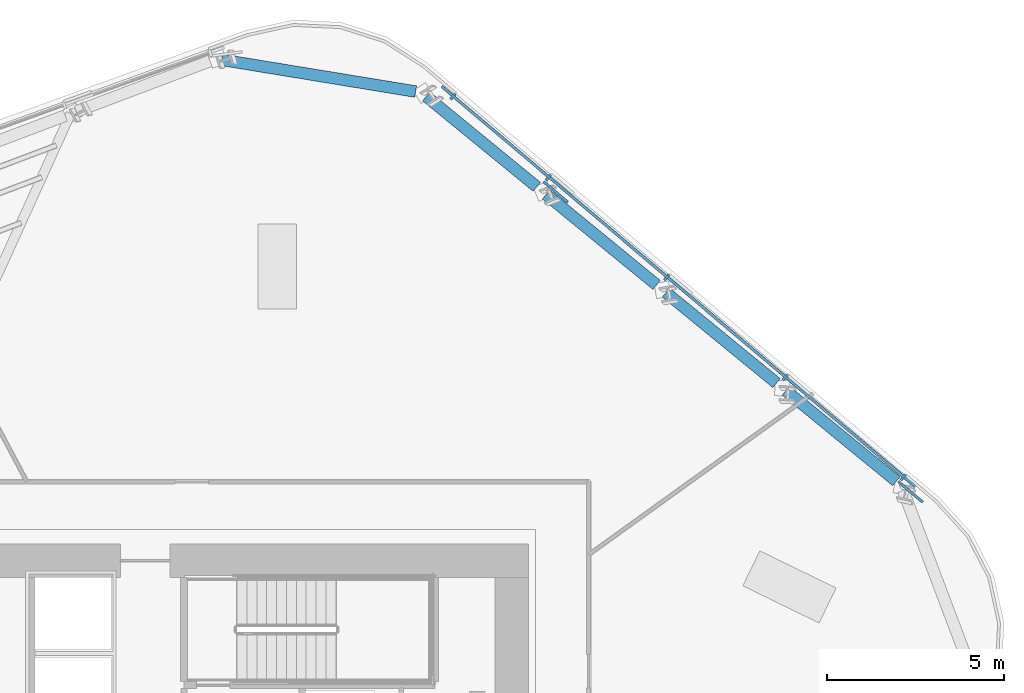
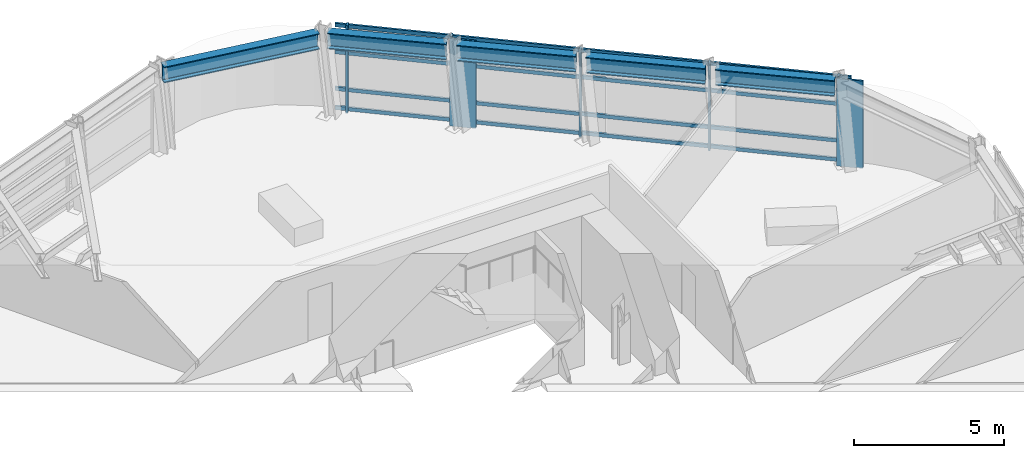
# One storey, part 7 of 18: 11 members, 5 beams, 1 element without a shape of its own.
"""IFC4 building model written with IfcOpenShell, lengths in metres."""

import ifcopenshell
import ifcopenshell.guid

model = None  # the IFC model being written
_history = None  # IfcOwnerHistory: only IFC2X3 demands one
_inside = {}  # id of a spatial element -> (the spatial element, [elements in it])
_under = {}  # id of a project, library or spatial element -> (it, [spatial elements below it])
_declared = {}  # id of a project -> (the project, [libraries it declares])
_typed = {}  # id of a type object -> (the type object, [elements of that type])
_made_of = {}  # id of a material, layer set ... -> (it, [elements and type objects made of it])


def new_model(schema):
    """Start an empty IFC model of exactly this schema.

    Asked for "IFC4X3", IfcOpenShell would pick the latest addendum, in which some entities
    have other attributes; the version numbers below select the first issue.
    IFC2X3 requires an IfcOwnerHistory on every rooted entity: one is made here for all.
    """
    global model, _history
    if schema == "IFC4X3":
        model = ifcopenshell.file(schema_version=(4, 3, 0, 0))
    else:
        model = ifcopenshell.file(schema=schema)
    _inside.clear()
    _under.clear()
    _declared.clear()
    _typed.clear()
    _made_of.clear()
    _history = None
    if model.schema == "IFC2X3":
        org = make("IfcOrganization", Name="unknown")
        user = make(
            "IfcPersonAndOrganization",
            ThePerson=make("IfcPerson", FamilyName="unknown"),
            TheOrganization=org,
        )
        app = make(
            "IfcApplication",
            ApplicationDeveloper=org,
            Version="unknown",
            ApplicationFullName="unknown",
            ApplicationIdentifier="unknown",
        )
        _history = make(
            "IfcOwnerHistory",
            OwningUser=user,
            OwningApplication=app,
            ChangeAction="ADDED",
            CreationDate=0,
        )
    return model


def make(cls, **values):
    """One entity of the class cls with the attributes given. An attribute that is None is left unset."""
    return model.create_entity(
        cls, **{name: value for name, value in values.items() if value is not None}
    )


def rooted(cls, **values):
    """An entity with a GlobalId (a new one), such as an element, a storey or a relation."""
    return make(cls, GlobalId=ifcopenshell.guid.new(), OwnerHistory=_history, **values)


def si_unit(unit_type, name, prefix=None):
    """IfcSIUnit, for example si_unit("LENGTHUNIT", "METRE", prefix="MILLI")."""
    return make("IfcSIUnit", UnitType=unit_type, Prefix=prefix, Name=name)


def assignment(units):
    """IfcUnitAssignment: the units of a project."""
    return None if units is None else make("IfcUnitAssignment", Units=units)


def point(xyz):
    """IfcCartesianPoint."""
    return None if xyz is None else make("IfcCartesianPoint", Coordinates=xyz)


def direction(xyz):
    """IfcDirection."""
    return None if xyz is None else make("IfcDirection", DirectionRatios=xyz)


def frame(location, z_axis=None, x_axis=None):
    """IfcAxis2Placement3D, a coordinate frame: its origin and axes. An axis left out is left unset."""
    return make(
        "IfcAxis2Placement3D",
        Location=point(location),
        Axis=direction(z_axis),
        RefDirection=direction(x_axis),
    )


def frame_2d(location, x_axis=None):
    """IfcAxis2Placement2D, a coordinate frame in the plane: its origin and x axis."""
    return make(
        "IfcAxis2Placement2D", Location=point(location), RefDirection=direction(x_axis)
    )


def origin():
    """The frame at (0, 0, 0) with its axes left unset."""
    return frame((0.0, 0.0, 0.0))


def origin_2d():
    """The frame at (0, 0) in the plane with its x axis left unset."""
    return frame_2d((0.0, 0.0))


def place(relative_to, where):
    """IfcLocalPlacement: puts the frame where relative to a parent placement (None: the world)."""
    return make(
        "IfcLocalPlacement", PlacementRelTo=relative_to, RelativePlacement=where
    )


def context(
    kind, dimensions, precision=None, world=None, true_north=None, identifier=None
):
    """IfcGeometricRepresentationContext, for example the 3D "Model" context."""
    return make(
        "IfcGeometricRepresentationContext",
        ContextIdentifier=identifier,
        ContextType=kind,
        CoordinateSpaceDimension=dimensions,
        Precision=precision,
        WorldCoordinateSystem=world,
        TrueNorth=true_north,
    )


def subcontext(parent, identifier, kind, view, scale=None):
    """IfcGeometricRepresentationSubContext, for example "Body" below "Model"."""
    return make(
        "IfcGeometricRepresentationSubContext",
        ContextIdentifier=identifier,
        ContextType=kind,
        ParentContext=parent,
        TargetScale=scale,
        TargetView=view,
    )


def project(units=None, contexts=None):
    """IfcProject with its units and contexts."""
    return rooted(
        "IfcProject",
        Name="project",
        RepresentationContexts=contexts,
        UnitsInContext=assignment(units),
    )


def spatial(cls, under=None, at=None, **own):
    """A site, building, storey or space (cls), placed at a placement, below another one or the project."""
    s = rooted(cls, ObjectPlacement=at, **own)
    if under is not None:
        _under.setdefault(under.id(), (under, []))[1].append(s)
    return s


def profile(cls, at=None, kind="AREA", **sizes):
    """A parametric profile (cls). Its sizes go by their IFC names, for example OverallWidth=200.0."""
    return make(cls, ProfileType=kind, Position=at, **sizes)


def rectangle(**sizes):
    """IfcRectangleProfileDef."""
    return profile("IfcRectangleProfileDef", **sizes)


def i_section(**sizes):
    """IfcIShapeProfileDef."""
    return profile("IfcIShapeProfileDef", **sizes)


def extrude(swept, where, along, depth):
    """IfcExtrudedAreaSolid: the profile swept, set in the frame where, extruded along a direction by depth."""
    return make(
        "IfcExtrudedAreaSolid",
        SweptArea=swept,
        Position=where,
        ExtrudedDirection=direction(along),
        Depth=depth,
    )


def shape(context_of_items, identifier, shape_type, items):
    """IfcShapeRepresentation: the items that make up one representation, for example the "Body"."""
    return make(
        "IfcShapeRepresentation",
        ContextOfItems=context_of_items,
        RepresentationIdentifier=identifier,
        RepresentationType=shape_type,
        Items=items,
    )


def material(Name=None, Category=None):
    """IfcMaterial."""
    return make("IfcMaterial", Name=Name, Category=Category)


def layer(
    of_material, thickness, ventilated=None, Name=None, Category=None, Priority=None
):
    """IfcMaterialLayer: one layer of a wall or slab, of a material (None: an air gap)."""
    return make(
        "IfcMaterialLayer",
        Material=of_material,
        LayerThickness=thickness,
        IsVentilated=ventilated,
        Name=Name,
        Category=Category,
        Priority=Priority,
    )


def layer_set(layers, Name=None):
    """IfcMaterialLayerSet."""
    return make("IfcMaterialLayerSet", MaterialLayers=layers, LayerSetName=Name)


def material_profile(
    of_material, cross_section, Name=None, Category=None, Priority=None
):
    """IfcMaterialProfile: a cross section and its material."""
    return make(
        "IfcMaterialProfile",
        Name=Name,
        Material=of_material,
        Profile=cross_section,
        Priority=Priority,
        Category=Category,
    )


def profile_set(profiles, Name=None, composite=None):
    """IfcMaterialProfileSet."""
    return make(
        "IfcMaterialProfileSet",
        Name=Name,
        MaterialProfiles=profiles,
        CompositeProfile=composite,
    )


def made_of(thing, what):
    """Note that an element or type object is made of a material, layer set ...; save() writes the relation."""
    if what is not None:
        _made_of.setdefault(what.id(), (what, []))[1].append(thing)
    return thing


def type_object(cls, material=None, **own):
    """A type object (cls), such as IfcWallType, which elements share."""
    return made_of(rooted(cls, **own), material)


def element(
    cls,
    number,
    at=None,
    inside=None,
    cuts=None,
    type_object=None,
    material=None,
    context=None,
    identifier="Body",
    shape_type=None,
    held_by="IfcProductDefinitionShape",
    body=None,
    shapes=None,
    **own,
):
    """One element of the class cls, such as IfcWall. Its Tag is "e" and its number.

    at: its placement. inside: the storey or other place that contains it. cuts: it is an
    opening in that element (IfcRelVoidsElement). A single representation is given by context,
    identifier, shape_type and body (its items); several are given by shapes. held_by: the class
    of the entity that holds the representations. save() writes the other relations.
    """
    e = rooted(cls, Tag="e%d" % number, ObjectPlacement=at, **own)
    if body is not None:
        shapes = [shape(context, identifier, shape_type, body)]
    if shapes is not None:
        e.Representation = make(held_by, Representations=shapes)
    if inside is not None:
        _inside.setdefault(inside.id(), (inside, []))[1].append(e)
    if cuts is not None:
        rooted(
            "IfcRelVoidsElement", RelatingBuildingElement=cuts, RelatedOpeningElement=e
        )
    if type_object is not None:
        _typed.setdefault(type_object.id(), (type_object, []))[1].append(e)
    return made_of(e, material)


def aggregate(whole, parts):
    """IfcRelAggregates: a whole, such as a stair, and the parts it consists of."""
    return rooted("IfcRelAggregates", RelatingObject=whole, RelatedObjects=parts)


def save(model, path):
    """Write the relations noted so far, then the file.

    IfcRelAggregates (storeys below a building ...), IfcRelContainedInSpatialStructure (elements
    in a storey), IfcRelDefinesByType, IfcRelAssociatesMaterial and IfcRelDeclares: one each for
    every whole, place, type object, material and project.
    """
    for whole, parts in _under.values():
        aggregate(whole, parts)
    for where, things in _inside.values():
        rooted(
            "IfcRelContainedInSpatialStructure",
            RelatedElements=things,
            RelatingStructure=where,
        )
    for kind, things in _typed.values():
        rooted("IfcRelDefinesByType", RelatedObjects=things, RelatingType=kind)
    for what, things in _made_of.values():
        rooted("IfcRelAssociatesMaterial", RelatedObjects=things, RelatingMaterial=what)
    for by, libraries in _declared.values():
        rooted("IfcRelDeclares", RelatingContext=by, RelatedDefinitions=libraries)
    model.write(path)


model = new_model("IFC4")

# Units and contexts
model_context = context("Model", 3, precision=1e-05, world=origin(), true_north=direction((0.0, 1.0)))
body_context = subcontext(model_context, "Body", "Model", "MODEL_VIEW")
ifc_project = project(units=[si_unit("LENGTHUNIT", "METRE"), si_unit("AREAUNIT", "SQUARE_METRE"), si_unit("VOLUMEUNIT", "CUBIC_METRE"), si_unit("PLANEANGLEUNIT", "RADIAN"), si_unit("MASSUNIT", "GRAM", prefix="KILO")], contexts=[model_context])

# Site, building, storey
site_placement = place(None, origin())
site = spatial("IfcSite", under=ifc_project, at=site_placement, CompositionType="ELEMENT")
building_placement = place(site_placement, origin())
building = spatial("IfcBuilding", under=site, at=building_placement, Name="Valkerne Bourse Tower", CompositionType="ELEMENT")
storey_placement = place(building_placement, frame((0.0, 0.0, 108.60009765625)))
storey = spatial("IfcBuildingStorey", under=building, at=storey_placement, Name="L27", CompositionType="ELEMENT", Elevation=108.60009765625)

# Beams
ifc_material_1 = material(Name="Steel ASTM A992", Category="steel")
ifc_material_profile_1 = material_profile(ifc_material_1, i_section(OverallWidth=0.330078125, OverallDepth=0.647705078125, WebThickness=0.0205078125, FlangeThickness=0.037109375, FilletRadius=0.020263671875, at=origin_2d()), Name="W24X192")
ifc_profile_set_1 = profile_set([ifc_material_profile_1], Name="Steel ASTM A992")
beam_type = type_object("IfcBeamType", Name="BM-W24X192", PredefinedType="SPANDREL", material=ifc_profile_set_1)
for number, where, z_axis, x_axis, name in (
    (1, (66.808349609375, 37.8740234375, 3.256103515625), (-0.773814679668, 0.633412062981, 0.0), (-0.633412062981, -0.773814679668, 0.0), "L27 Hexagonal Spandrel Ring Beam 00"),
    (2, (63.416748046875, 40.650146484375, 3.256103515625), (-0.773868503725, 0.633346302541, 0.0), (-0.633346302541, -0.773868503725, 0.0), "L27 Hexagonal Spandrel Ring Beam 01"),
):
    element("IfcBeam", number, at=place(storey_placement, frame(where, z_axis=z_axis, x_axis=x_axis)), inside=storey, type_object=beam_type, Name=name, PredefinedType="SPANDREL", context=body_context, shape_type="SweptSolid", body=[
        extrude(i_section(OverallWidth=0.330078125, OverallDepth=0.647705078125, WebThickness=0.0205078125, FlangeThickness=0.037109375, FilletRadius=0.020263671875, at=origin_2d()), origin(), (0.0, 0.0, 1.0), 4.04296875),
    ])
beam_1_placement = place(storey_placement, frame((60.02490234375, 43.42626953125, 3.256103515625), z_axis=(-0.773844278853, 0.633375901094, 0.0), x_axis=(-0.633375901094, -0.773844278853, 0.0)))
element("IfcBeam", 3, at=beam_1_placement, inside=storey, type_object=beam_type, Name="L27 Hexagonal Spandrel Ring Beam 02", PredefinedType="SPANDREL", context=body_context, shape_type="SweptSolid", body=[
    extrude(i_section(OverallWidth=0.330078125, OverallDepth=0.647705078125, WebThickness=0.0205078125, FlangeThickness=0.037109375, FilletRadius=0.020263671875, at=origin_2d()), origin(), (0.0, 0.0, 1.0), 4.042724609375),
])
beam_2_placement = place(storey_placement, frame((56.63330078125, 46.202392578125, 3.256103515625), z_axis=(-0.773868503725, 0.633346302541, 0.0), x_axis=(-0.633346302541, -0.773868503725, 0.0)))
element("IfcBeam", 4, at=beam_2_placement, inside=storey, type_object=beam_type, Name="L27 Hexagonal Spandrel Ring Beam 03", PredefinedType="SPANDREL", context=body_context, shape_type="SweptSolid", body=[
    extrude(i_section(OverallWidth=0.330078125, OverallDepth=0.647705078125, WebThickness=0.0205078125, FlangeThickness=0.037109375, FilletRadius=0.020263671875, at=origin_2d()), origin(), (0.0, 0.0, 1.0), 4.04296875),
])
beam_3_placement = place(storey_placement, frame((53.205322265625, 48.898193359375, 3.256103515625), z_axis=(-0.986858305231, 0.1615880113, 0.0), x_axis=(-0.1615880113, -0.986858305231, 0.0)))
element("IfcBeam", 5, at=beam_3_placement, inside=storey, type_object=beam_type, Name="L27 Hexagonal Spandrel Ring Beam 04", PredefinedType="SPANDREL", context=body_context, shape_type="SweptSolid", body=[
    extrude(i_section(OverallWidth=0.330078125, OverallDepth=0.647705078125, WebThickness=0.0205078125, FlangeThickness=0.037109375, FilletRadius=0.020263671875, at=origin_2d()), origin(), (0.0, 0.0, 1.0), 5.564697265625),
])

# Curtain wall, members
ifc_material_2 = material(Name="Aluminium AA 6063-T6", Category="aluminium")
ifc_layer = layer(ifc_material_2, 0.22998046875)
ifc_layer_set = layer_set([ifc_layer], Name="Aluminium AA 6063-T6")
curtain_wall_type = type_object("IfcCurtainWallType", Name="CW-02", PredefinedType="NOTDEFINED", material=ifc_layer_set)
curtain_wall_placement = place(storey_placement, origin())
curtain_wall = element("IfcCurtainWall", 6, at=curtain_wall_placement, inside=storey, type_object=curtain_wall_type, Name="L27 Hexagonal Stick Curtain Wall Face 1", PredefinedType="NOTDEFINED")
ifc_material_profile_2 = material_profile(ifc_material_2, rectangle(XDim=0.074951171875, YDim=0.199951171875, at=origin_2d()), Name="CWM-75X200")
ifc_profile_set_2 = profile_set([ifc_material_profile_2], Name="Aluminium AA 6063-T6")
member_type_1 = type_object("IfcMemberType", Name="CW-MUL-220X75", PredefinedType="MULLION", material=ifc_profile_set_2)
member_1_placement = place(storey_placement, frame((67.00537109375, 37.9794921875, 0.0), z_axis=(0.0, 0.0, 1.0), x_axis=(-0.763797192334, 0.645456310669, 0.0)))
member_1 = element("IfcMember", 7, at=member_1_placement, type_object=member_type_1, Name="CW-L27-F1 Jamb Mullion 00A", PredefinedType="MULLION", context=body_context, shape_type="SweptSolid", body=[
    extrude(rectangle(XDim=0.074951171875, YDim=0.199951171875, at=origin_2d()), origin(), (0.0, 0.0, 1.0), 3.579833984375),
])
member_2_placement = place(storey_placement, frame((63.65771484375, 40.80859375, 0.0), z_axis=(0.0, 0.0, 1.0), x_axis=(-0.763798935079, 0.645454248396, 0.0)))
member_2 = element("IfcMember", 8, at=member_2_placement, type_object=member_type_1, Name="CW-L27-F1 Jamb Mullion 01A", PredefinedType="MULLION", context=body_context, shape_type="SweptSolid", body=[
    extrude(rectangle(XDim=0.074951171875, YDim=0.199951171875, at=origin_2d()), origin(), (0.0, 0.0, 1.0), 3.579833984375),
])
member_3_placement = place(storey_placement, frame((60.309814453125, 43.637451171875, 0.0), z_axis=(0.0, 0.0, 1.0), x_axis=(-0.763787687089, 0.645467558481, 0.0)))
member_3 = element("IfcMember", 9, at=member_3_placement, type_object=member_type_1, Name="CW-L27-F1 Jamb Mullion 02A", PredefinedType="MULLION", context=body_context, shape_type="SweptSolid", body=[
    extrude(rectangle(XDim=0.074951171875, YDim=0.199951171875, at=origin_2d()), origin(), (0.0, 0.0, 1.0), 3.579833984375),
])
member_4_placement = place(storey_placement, frame((56.962158203125, 46.466552734375, 0.0), z_axis=(0.0, 0.0, 1.0), x_axis=(-0.763798935079, 0.645454248396, 0.0)))
member_4 = element("IfcMember", 10, at=member_4_placement, type_object=member_type_1, Name="CW-L27-F1 Jamb Mullion 03A", PredefinedType="MULLION", context=body_context, shape_type="SweptSolid", body=[
    extrude(rectangle(XDim=0.074951171875, YDim=0.199951171875, at=origin_2d()), origin(), (0.0, 0.0, 1.0), 3.579833984375),
])
member_5_placement = place(storey_placement, frame((54.256103515625, 48.75341796875, 0.0), z_axis=(0.0, 0.0, 1.0), x_axis=(-0.763798935079, 0.645454248396, 0.0)))
member_5 = element("IfcMember", 11, at=member_5_placement, type_object=member_type_1, Name="CW-L27-F1 Jamb Mullion 03B", PredefinedType="MULLION", context=body_context, shape_type="SweptSolid", body=[
    extrude(rectangle(XDim=0.074951171875, YDim=0.199951171875, at=origin_2d()), origin(), (0.0, 0.0, 1.0), 3.579833984375),
])
ifc_material_profile_3 = material_profile(ifc_material_2, rectangle(XDim=0.074951171875, YDim=0.14990234375, at=origin_2d()), Name="CWT-75X150")
ifc_profile_set_3 = profile_set([ifc_material_profile_3], Name="Aluminium AA 6063-T6")
member_type_2 = type_object("IfcMemberType", Name="CW-TRN-180X65", PredefinedType="USERDEFINED", material=ifc_profile_set_3)
member_6_placement = place(storey_placement, frame((67.339111328125, 37.7236328125, 0.119873046875), z_axis=(-0.763796019563, 0.645457698459, 0.0), x_axis=(-0.645457698459, -0.763796019563, 0.0)))
member_6 = element("IfcMember", 12, at=member_6_placement, type_object=member_type_2, Name="CW-L27-F1 Continuous Face Transom 1", ObjectType="TRANSOM", PredefinedType="USERDEFINED", context=body_context, shape_type="SweptSolid", body=[
    extrude(rectangle(XDim=0.074951171875, YDim=0.14990234375, at=origin_2d()), origin(), (0.0, 0.0, 1.0), 17.531982421875),
])
member_7_placement = place(storey_placement, frame((67.339111328125, 37.7236328125, 0.89990234375), z_axis=(-0.763796019563, 0.645457698459, 0.0), x_axis=(-0.645457698459, -0.763796019563, 0.0)))
member_7 = element("IfcMember", 13, at=member_7_placement, type_object=member_type_2, Name="CW-L27-F1 Continuous Face Transom 2", ObjectType="TRANSOM", PredefinedType="USERDEFINED", context=body_context, shape_type="SweptSolid", body=[
    extrude(rectangle(XDim=0.074951171875, YDim=0.14990234375, at=origin_2d()), origin(), (0.0, 0.0, 1.0), 17.531982421875),
])
member_8_placement = place(storey_placement, frame((67.339111328125, 37.7236328125, 2.39990234375), z_axis=(-0.763796019563, 0.645457698459, 0.0), x_axis=(-0.645457698459, -0.763796019563, 0.0)))
member_8 = element("IfcMember", 14, at=member_8_placement, type_object=member_type_2, Name="CW-L27-F1 Continuous Face Transom 3", ObjectType="TRANSOM", PredefinedType="USERDEFINED", context=body_context, shape_type="SweptSolid", body=[
    extrude(rectangle(XDim=0.074951171875, YDim=0.14990234375, at=origin_2d()), origin(), (0.0, 0.0, 1.0), 17.531982421875),
])
member_9_placement = place(storey_placement, frame((67.339111328125, 37.7236328125, 3.5), z_axis=(-0.763796019563, 0.645457698459, 0.0), x_axis=(-0.645457698459, -0.763796019563, 0.0)))
member_9 = element("IfcMember", 15, at=member_9_placement, type_object=member_type_2, Name="CW-L27-F1 Continuous Face Transom 4", ObjectType="TRANSOM", PredefinedType="USERDEFINED", context=body_context, shape_type="SweptSolid", body=[
    extrude(rectangle(XDim=0.074951171875, YDim=0.14990234375, at=origin_2d()), origin(), (0.0, 0.0, 1.0), 17.531982421875),
])
aggregate(curtain_wall, [member_6, member_7, member_8, member_9, member_1, member_2, member_3, member_4, member_5])

# Members
ifc_material_3 = material(Name="Bronze Anodised Aluminium AA 6063-T6", Category="aluminium")
ifc_material_profile_4 = material_profile(ifc_material_3, rectangle(XDim=0.070068359375, YDim=0.89990234375, at=origin_2d()), Name="FIN-70X900")
ifc_profile_set_4 = profile_set([ifc_material_profile_4], Name="Bronze Anodised Aluminium AA 6063-T6")
member_type_3 = type_object("IfcMemberType", Name="FIN-SOLAR-900", PredefinedType="USERDEFINED", material=ifc_profile_set_4)
for number, where, z_axis, x_axis, name in (
    (16, (67.2099609375, 37.57080078125, 0.00390625), (0.0, 0.0, 1.0), (0.646433310701, 0.762970494066, 0.0), "L27 Bronze Anodised Solar Fin F1-00"),
    (17, (57.166748046875, 46.05810546875, 0.00390625), (0.0, 0.0, 1.0), (0.646431754019, 0.762971812976, 0.0), "L27 Bronze Anodised Solar Fin F1-03"),
):
    element("IfcMember", number, at=place(storey_placement, frame(where, z_axis=z_axis, x_axis=x_axis)), inside=storey, type_object=member_type_3, Name=name, ObjectType="SOLAR_FIN", PredefinedType="USERDEFINED", context=body_context, shape_type="SweptSolid", body=[
        extrude(rectangle(XDim=0.070068359375, YDim=0.89990234375, at=origin_2d()), origin(), (0.0, 0.0, 1.0), 3.572021484375),
    ])

save(model, "model.ifc")
